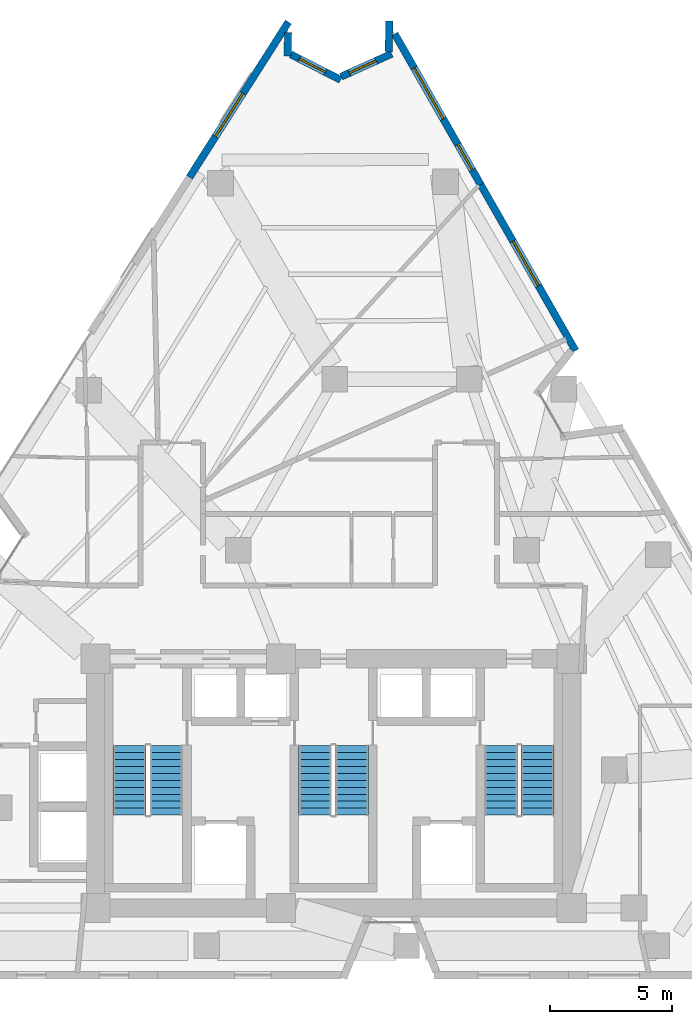
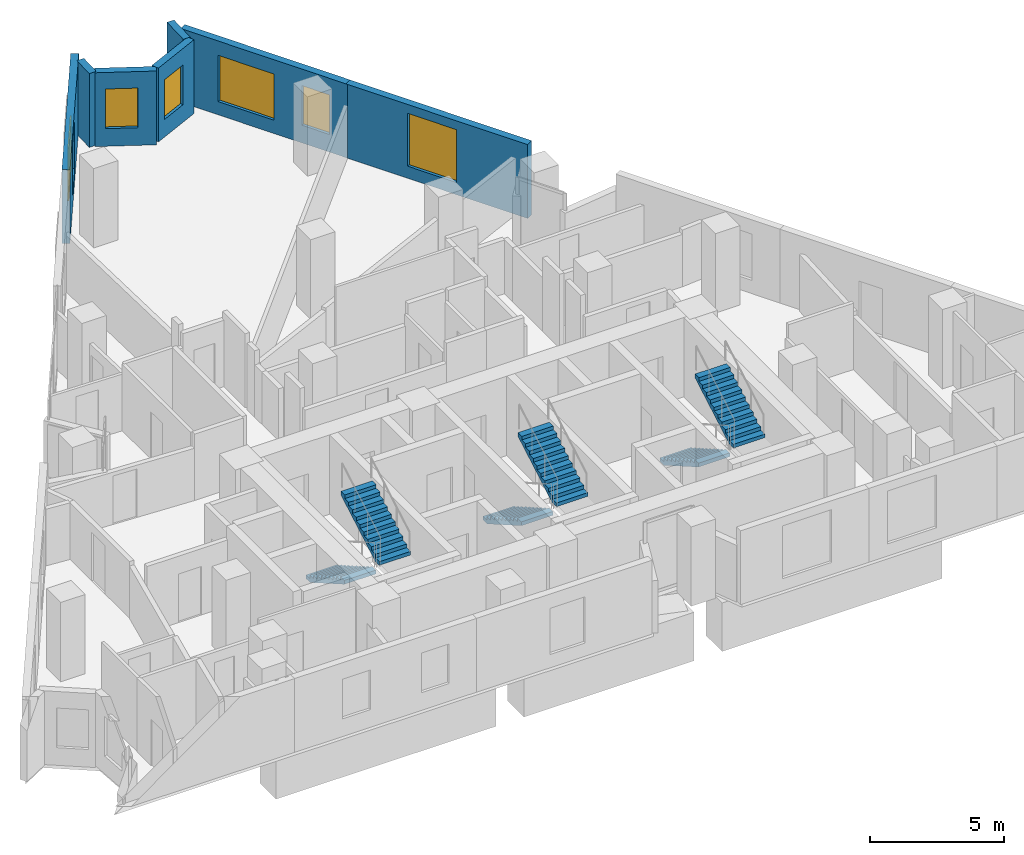
# One storey, part 10 of 12: 7 walls, 6 stair flights, 6 windows, 6 openings, 3 elements without a shape of their own.
"""IFC4 building model written with IfcOpenShell, lengths in metres."""

from ifc_helpers import new_model, si_unit, direction, frame, frame_2d, origin, place, context, subcontext, project, spatial, polyline, rectangle, outline, extrude, material, layer, layer_set, type_object, element, fill, aggregate, save


model = new_model("IFC4")

# Units and contexts
model_context = context("Model", 3, precision=1e-05, world=origin(), true_north=direction((0.0, 1.0)))
body_context = subcontext(model_context, "Body", "Model", "MODEL_VIEW")
ifc_project = project(units=[si_unit("LENGTHUNIT", "METRE"), si_unit("AREAUNIT", "SQUARE_METRE"), si_unit("VOLUMEUNIT", "CUBIC_METRE"), si_unit("PLANEANGLEUNIT", "RADIAN"), si_unit("MASSUNIT", "GRAM", prefix="KILO")], contexts=[model_context])

# Site, building, storey
site_placement = place(None, origin())
site = spatial("IfcSite", under=ifc_project, at=site_placement, CompositionType="ELEMENT")
building_placement = place(site_placement, origin())
building = spatial("IfcBuilding", under=site, at=building_placement, Name="Almagre Mirador Tower", CompositionType="ELEMENT")
storey_placement = place(building_placement, frame((0.0, 0.0, 132.0)))
storey = spatial("IfcBuildingStorey", under=building, at=storey_placement, Name="L33", CompositionType="ELEMENT", Elevation=132.0)

# Wall, opening, window
ifc_material_1 = material(Name="Precast concrete C50/60", Category="concrete")
ifc_layer = layer(ifc_material_1, 0.300048828125)
ifc_layer_set = layer_set([ifc_layer], Name="Precast concrete C50/60")
wall_type = type_object("IfcWallType", Name="WAL-EXT-300", PredefinedType="SOLIDWALL", material=ifc_layer_set)
wall_1_placement = place(storey_placement, frame((31.402099609375, 34.46728515625, 0.0), z_axis=(0.0, 0.0, 1.0), x_axis=(0.537103895222, 0.843516096905, 0.0)))
wall_1 = element("IfcWall", 1, at=wall_1_placement, inside=storey, type_object=wall_type, Name="L33 expressed almagre precast frame wall 04", PredefinedType="SOLIDWALL", context=body_context, shape_type="SweptSolid", body=[
    extrude(rectangle(XDim=7.538330078125, YDim=0.300048828125, at=frame_2d((3.76904296875, 0.0))), origin(), (0.0, 0.0, 1.0), 3.35009765625),
])
opening_1_placement = place(wall_1_placement, frame((1.97509765625, 0.0, 0.550048828125)))
opening_1 = element("IfcOpeningElement", 2, at=opening_1_placement, cuts=wall_1, Name="Opening WN-05", PredefinedType="OPENING", context=body_context, shape_type="SweptSolid", body=[
    extrude(rectangle(XDim=2.10009765625, YDim=2.39990234375, at=frame_2d((1.050048828125, 1.199951171875))), frame((0.0, 0.159902, 0.0), z_axis=(0.0, -1.0, 0.0), x_axis=(1.0, 0.0, 0.0)), (0.0, 0.0, 1.0), 0.320049),
])
ifc_material_2 = material(Name="Dark solar-control laminated hurricane glass", Category="glass")
window_type_1 = type_object("IfcWindowType", Name="WIN-2100X2400", PartitioningType="DOUBLE_PANEL_VERTICAL", PredefinedType="WINDOW", material=ifc_material_2)
window_1_placement = place(opening_1_placement, origin())
window_1 = element("IfcWindow", 3, at=window_1_placement, inside=storey, type_object=window_type_1, Name="L33 recessed hurricane window L33-UL-ST", OverallHeight=2.39990234375, OverallWidth=2.10009765625, PartitioningType="SINGLE_PANEL", PredefinedType="WINDOW", context=body_context, shape_type="SweptSolid", body=[
    extrude(rectangle(XDim=2.10009765625, YDim=2.39990234375, at=frame_2d((1.050048828125, 1.199951171875))), frame((0.0, 0.030029296875, 0.0), z_axis=(0.0, -1.0, 0.0), x_axis=(1.0, 0.0, 0.0)), (0.0, 0.0, 1.0), 0.06005859375),
])
fill(opening_1, window_1)

# Wall
wall_2_placement = place(storey_placement, frame((35.440673828125, 40.39111328125, 0.0), z_axis=(0.0, 0.0, 1.0), x_axis=(-0.023772687739, -0.999717389725, 0.0)))
element("IfcWall", 4, at=wall_2_placement, inside=storey, type_object=wall_type, Name="L33 expressed almagre precast frame wall 05", PredefinedType="SOLIDWALL", context=body_context, shape_type="SweptSolid", body=[
    extrude(rectangle(XDim=0.96533203125, YDim=0.300048828125, at=frame_2d((0.482666015625, 0.0))), origin(), (0.0, 0.0, 1.0), 3.35009765625),
])

# Wall, opening, window
wall_3_placement = place(storey_placement, frame((35.550048828125, 39.5, 0.0), z_axis=(0.0, 0.0, 1.0), x_axis=(0.890379913817, -0.455218199408, 0.0)))
wall_3 = element("IfcWall", 5, at=wall_3_placement, inside=storey, type_object=wall_type, Name="L33 expressed almagre precast frame wall 06", PredefinedType="SOLIDWALL", context=body_context, shape_type="SweptSolid", body=[
    extrude(rectangle(XDim=2.28857421875, YDim=0.300048828125, at=frame_2d((1.144287109375, 0.0))), origin(), (0.0, 0.0, 1.0), 3.35009765625),
])
opening_2_placement = place(wall_3_placement, frame((0.389892578125, 0.0, 0.800048828125)))
opening_2 = element("IfcOpeningElement", 6, at=opening_2_placement, cuts=wall_3, Name="Opening WN-04", PredefinedType="OPENING", context=body_context, shape_type="SweptSolid", body=[
    extrude(rectangle(XDim=1.199951171875, YDim=1.800048828125, at=frame_2d((0.60009765625, 0.89990234375))), frame((0.0, 0.159902, 0.0), z_axis=(0.0, -1.0, 0.0), x_axis=(1.0, 0.0, 0.0)), (0.0, 0.0, 1.0), 0.320049),
])
ifc_material_3 = material(Name="Dark solar-control laminated hurricane glass", Category="glass")
window_type_2 = type_object("IfcWindowType", Name="WIN-1200X1800", PartitioningType="SINGLE_PANEL", PredefinedType="WINDOW", material=ifc_material_3)
window_2_placement = place(opening_2_placement, origin())
window_2 = element("IfcWindow", 7, at=window_2_placement, inside=storey, type_object=window_type_2, Name="L33 recessed hurricane window L33-UL-KT", OverallHeight=1.800048828125, OverallWidth=1.199951171875, PartitioningType="SINGLE_PANEL", PredefinedType="WINDOW", context=body_context, shape_type="SweptSolid", body=[
    extrude(rectangle(XDim=1.199951171875, YDim=1.800048828125, at=frame_2d((0.60009765625, 0.89990234375))), frame((0.0, 0.030029296875, 0.0), z_axis=(0.0, -1.0, 0.0), x_axis=(1.0, 0.0, 0.0)), (0.0, 0.0, 1.0), 0.06005859375),
])
fill(opening_2, window_2)

wall_4_placement = place(storey_placement, frame((37.60888671875, 38.587890625, 0.0), z_axis=(0.0, 0.0, 1.0), x_axis=(0.911273073729, 0.411802604528, 0.0)))
wall_4 = element("IfcWall", 8, at=wall_4_placement, inside=storey, type_object=wall_type, Name="L33 expressed almagre precast frame wall 07", PredefinedType="SOLIDWALL", context=body_context, shape_type="SweptSolid", body=[
    extrude(rectangle(XDim=2.2724609375, YDim=0.300048828125, at=frame_2d((1.13623046875, 0.0))), origin(), (0.0, 0.0, 1.0), 3.35009765625),
])
opening_3_placement = place(wall_4_placement, frame((0.375, 0.0, 0.800048828125)))
opening_3 = element("IfcOpeningElement", 9, at=opening_3_placement, cuts=wall_4, Name="Opening WN-04", PredefinedType="OPENING", context=body_context, shape_type="SweptSolid", body=[
    extrude(rectangle(XDim=1.199951171875, YDim=1.800048828125, at=frame_2d((0.60009765625, 0.89990234375))), frame((0.0, 0.159902, 0.0), z_axis=(0.0, -1.0, 0.0), x_axis=(1.0, 0.0, 0.0)), (0.0, 0.0, 1.0), 0.320049),
])
window_3_placement = place(opening_3_placement, origin())
window_3 = element("IfcWindow", 10, at=window_3_placement, inside=storey, type_object=window_type_2, Name="L33 recessed hurricane window L33-UL-KT", OverallHeight=1.800048828125, OverallWidth=1.199951171875, PartitioningType="SINGLE_PANEL", PredefinedType="WINDOW", context=body_context, shape_type="SweptSolid", body=[
    extrude(rectangle(XDim=1.199951171875, YDim=1.800048828125, at=frame_2d((0.60009765625, 0.89990234375))), frame((0.0, 0.030029296875, 0.0), z_axis=(0.0, -1.0, 0.0), x_axis=(1.0, 0.0, 0.0)), (0.0, 0.0, 1.0), 0.06005859375),
])
fill(opening_3, window_3)

# Wall
wall_5_placement = place(storey_placement, frame((39.555419921875, 39.60595703125, 0.0), z_axis=(0.0, 0.0, 1.0), x_axis=(0.024600187161, 0.999697369603, 0.0)))
element("IfcWall", 11, at=wall_5_placement, inside=storey, type_object=wall_type, Name="L33 expressed almagre precast frame wall 08", PredefinedType="SOLIDWALL", context=body_context, shape_type="SweptSolid", body=[
    extrude(rectangle(XDim=1.260498046875, YDim=0.300048828125, at=frame_2d((0.63037109375, 0.0))), origin(), (0.0, 0.0, 1.0), 3.35009765625),
])

# Wall, openings, windows
wall_6_placement = place(storey_placement, frame((39.8037109375, 40.339599609375, 0.0), z_axis=(0.0, 0.0, 1.0), x_axis=(0.495644320378, -0.86852559414, 0.0)))
wall_6 = element("IfcWall", 12, at=wall_6_placement, inside=storey, type_object=wall_type, Name="L33 expressed almagre precast frame wall 09", PredefinedType="SOLIDWALL", context=body_context, shape_type="SweptSolid", body=[
    extrude(rectangle(XDim=7.17724609375, YDim=0.300048828125, at=frame_2d((3.588623046875, 0.0))), origin(), (0.0, 0.0, 1.0), 3.35009765625),
])
opening_4_placement = place(wall_6_placement, frame((5.215087890625, 0.0, 0.800048828125)))
opening_4 = element("IfcOpeningElement", 13, at=opening_4_placement, cuts=wall_6, Name="Opening WN-04", PredefinedType="OPENING", context=body_context, shape_type="SweptSolid", body=[
    extrude(rectangle(XDim=1.199951171875, YDim=1.800048828125, at=frame_2d((0.60009765625, 0.89990234375))), frame((0.0, 0.159902, 0.0), z_axis=(0.0, -1.0, 0.0), x_axis=(1.0, 0.0, 0.0)), (0.0, 0.0, 1.0), 0.320049),
])
opening_5_placement = place(wall_6_placement, frame((1.614990234375, 0.0, 0.60009765625)))
opening_5 = element("IfcOpeningElement", 14, at=opening_5_placement, cuts=wall_6, Name="Opening WN-02", PredefinedType="OPENING", context=body_context, shape_type="SweptSolid", body=[
    extrude(rectangle(XDim=2.39990234375, YDim=2.10009765625, at=frame_2d((1.199951171875, 1.050048828125))), frame((0.0, 0.159902, 0.0), z_axis=(0.0, -1.0, 0.0), x_axis=(1.0, 0.0, 0.0)), (0.0, 0.0, 1.0), 0.320049),
])
window_4_placement = place(opening_4_placement, origin())
window_4 = element("IfcWindow", 15, at=window_4_placement, inside=storey, type_object=window_type_2, Name="L33 recessed hurricane window L33-RST-J", OverallHeight=1.800048828125, OverallWidth=1.199951171875, PartitioningType="SINGLE_PANEL", PredefinedType="WINDOW", context=body_context, shape_type="SweptSolid", body=[
    extrude(rectangle(XDim=1.199951171875, YDim=1.800048828125, at=frame_2d((0.60009765625, 0.89990234375))), frame((0.0, 0.030029296875, 0.0), z_axis=(0.0, -1.0, 0.0), x_axis=(1.0, 0.0, 0.0)), (0.0, 0.0, 1.0), 0.06005859375),
])
fill(opening_4, window_4)
ifc_material_4 = material(Name="Dark solar-control laminated hurricane glass", Category="glass")
window_type_3 = type_object("IfcWindowType", Name="WIN-2400X2100", PartitioningType="TRIPLE_PANEL_VERTICAL", PredefinedType="WINDOW", material=ifc_material_4)
window_5_placement = place(opening_5_placement, origin())
window_5 = element("IfcWindow", 16, at=window_5_placement, inside=storey, type_object=window_type_3, Name="L33 recessed hurricane window L33-UL-KT", OverallHeight=2.10009765625, OverallWidth=2.39990234375, PartitioningType="SINGLE_PANEL", PredefinedType="WINDOW", context=body_context, shape_type="SweptSolid", body=[
    extrude(rectangle(XDim=2.39990234375, YDim=2.10009765625, at=frame_2d((1.199951171875, 1.050048828125))), frame((0.0, 0.030029296875, 0.0), z_axis=(0.0, -1.0, 0.0), x_axis=(1.0, 0.0, 0.0)), (0.0, 0.0, 1.0), 0.06005859375),
])
fill(opening_5, window_5)

# Wall, opening, window
wall_7_placement = place(storey_placement, frame((43.327392578125, 34.1650390625, 0.0), z_axis=(0.0, 0.0, 1.0), x_axis=(0.495665411197, -0.868513557835, 0.0)))
wall_7 = element("IfcWall", 17, at=wall_7_placement, inside=storey, type_object=wall_type, Name="L33 expressed almagre precast frame wall 10", PredefinedType="SOLIDWALL", context=body_context, shape_type="SweptSolid", body=[
    extrude(rectangle(XDim=7.830078125, YDim=0.300048828125, at=frame_2d((3.9150390625, 0.0))), origin(), (0.0, 0.0, 1.0), 3.35009765625),
])
opening_6_placement = place(wall_7_placement, frame((2.66796875, 0.0, 0.550048828125)))
opening_6 = element("IfcOpeningElement", 18, at=opening_6_placement, cuts=wall_7, Name="Opening WN-05", PredefinedType="OPENING", context=body_context, shape_type="SweptSolid", body=[
    extrude(rectangle(XDim=2.10009765625, YDim=2.39990234375, at=frame_2d((1.050048828125, 1.199951171875))), frame((0.0, 0.159902, 0.0), z_axis=(0.0, -1.0, 0.0), x_axis=(1.0, 0.0, 0.0)), (0.0, 0.0, 1.0), 0.320049),
])
window_6_placement = place(opening_6_placement, origin())
window_6 = element("IfcWindow", 19, at=window_6_placement, inside=storey, type_object=window_type_1, Name="L33 recessed hurricane window L33-RST-K", OverallHeight=2.39990234375, OverallWidth=2.10009765625, PartitioningType="SINGLE_PANEL", PredefinedType="WINDOW", context=body_context, shape_type="SweptSolid", body=[
    extrude(rectangle(XDim=2.10009765625, YDim=2.39990234375, at=frame_2d((1.050048828125, 1.199951171875))), frame((0.0, 0.030029296875, 0.0), z_axis=(0.0, -1.0, 0.0), x_axis=(1.0, 0.0, 0.0)), (0.0, 0.0, 1.0), 0.06005859375),
])
fill(opening_6, window_6)

# Stair, stair flights
ifc_material_5 = material(Name="Concrete C45/55", Category="concrete")
stair_type = type_object("IfcStairType", Name="STR-DL-3600", PredefinedType="HALF_TURN_STAIR", material=ifc_material_5)
stair_1_placement = place(storey_placement, origin())
stair_1 = element("IfcStair", 20, at=stair_1_placement, inside=storey, type_object=stair_type, Name="L33 Protected exit stair ST-1", PredefinedType="HALF_TURN_STAIR")
ifc_material_6 = material(Name="Concrete C45/55", Category="concrete")
stair_flight_type = type_object("IfcStairFlightType", Name="FLT-DL-3600", PredefinedType="STRAIGHT", material=ifc_material_6)
stair_flight_1_placement = place(storey_placement, frame((28.949951171875, 11.199951171875, 0.0), z_axis=(0.0, 0.0, 1.0), x_axis=(0.0, -1.0, 0.0)))
stair_flight_1 = element("IfcStairFlight", 21, at=stair_flight_1_placement, type_object=stair_flight_type, Name="ST-1 flight 1", NumberOfRisers=11, NumberOfTreads=10, PredefinedType="STRAIGHT", RiserHeight=0.163636364, TreadLength=0.285, context=body_context, shape_type="SweptSolid", body=[
    extrude(outline(polyline([(0.0, 0.0), (0.0, 0.16357421875), (0.284912109375, 0.16357421875), (0.284912109375, 0.327392578125), (0.570068359375, 0.327392578125), (0.570068359375, 0.490966796875), (0.85498046875, 0.490966796875), (0.85498046875, 0.654541015625), (1.139892578125, 0.654541015625), (1.139892578125, 0.818115234375), (1.425048828125, 0.818115234375), (1.425048828125, 0.98193359375), (1.7099609375, 0.98193359375), (1.7099609375, 1.1455078125), (1.9951171875, 1.1455078125), (1.9951171875, 1.30908203125), (2.280029296875, 1.30908203125), (2.280029296875, 1.47265625), (2.56494140625, 1.47265625), (2.56494140625, 1.636474609375), (2.85009765625, 1.636474609375), (2.85009765625, 1.800048828125), (2.85009765625, 1.463623046875), (0.301025390625, 0.0), (0.0, 0.0)])), frame((0.0, 0.675048828125, 0.0), z_axis=(0.0, -1.0, 0.0), x_axis=(1.0, 0.0, 0.0)), (0.0, 0.0, 1.0), 1.35009765625),
])
stair_flight_2_placement = place(storey_placement, frame((30.449951171875, 8.35009765625, 1.800048828125), z_axis=(0.0, 0.0, 1.0), x_axis=(0.0, 1.0, 0.0)))
stair_flight_2 = element("IfcStairFlight", 22, at=stair_flight_2_placement, type_object=stair_flight_type, Name="ST-1 flight 2", NumberOfRisers=11, NumberOfTreads=10, PredefinedType="STRAIGHT", RiserHeight=0.163636364, TreadLength=0.285, context=body_context, shape_type="SweptSolid", body=[
    extrude(outline(polyline([(0.0, 0.0), (0.0, 0.16357421875), (0.284912109375, 0.16357421875), (0.284912109375, 0.327392578125), (0.570068359375, 0.327392578125), (0.570068359375, 0.490966796875), (0.85498046875, 0.490966796875), (0.85498046875, 0.654541015625), (1.139892578125, 0.654541015625), (1.139892578125, 0.818115234375), (1.425048828125, 0.818115234375), (1.425048828125, 0.98193359375), (1.7099609375, 0.98193359375), (1.7099609375, 1.1455078125), (1.9951171875, 1.1455078125), (1.9951171875, 1.30908203125), (2.280029296875, 1.30908203125), (2.280029296875, 1.47265625), (2.56494140625, 1.47265625), (2.56494140625, 1.636474609375), (2.85009765625, 1.636474609375), (2.85009765625, 1.800048828125), (2.85009765625, 1.463623046875), (0.301025390625, 0.0), (0.0, 0.0)])), frame((0.0, 0.675048828125, 0.0), z_axis=(0.0, -1.0, 0.0), x_axis=(1.0, 0.0, 0.0)), (0.0, 0.0, 1.0), 1.35009765625),
])
aggregate(stair_1, [stair_flight_1, stair_flight_2])

stair_2_placement = place(storey_placement, origin())
stair_2 = element("IfcStair", 23, at=stair_2_placement, inside=storey, type_object=stair_type, Name="L33 Protected exit stair ST-2", PredefinedType="HALF_TURN_STAIR")
stair_flight_3_placement = place(storey_placement, frame((36.550048828125, 11.199951171875, 0.0), z_axis=(0.0, 0.0, 1.0), x_axis=(0.0, -1.0, 0.0)))
stair_flight_3 = element("IfcStairFlight", 24, at=stair_flight_3_placement, type_object=stair_flight_type, Name="ST-2 flight 1", NumberOfRisers=11, NumberOfTreads=10, PredefinedType="STRAIGHT", RiserHeight=0.163636364, TreadLength=0.285, context=body_context, shape_type="SweptSolid", body=[
    extrude(outline(polyline([(0.0, 0.0), (0.0, 0.16357421875), (0.284912109375, 0.16357421875), (0.284912109375, 0.327392578125), (0.570068359375, 0.327392578125), (0.570068359375, 0.490966796875), (0.85498046875, 0.490966796875), (0.85498046875, 0.654541015625), (1.139892578125, 0.654541015625), (1.139892578125, 0.818115234375), (1.425048828125, 0.818115234375), (1.425048828125, 0.98193359375), (1.7099609375, 0.98193359375), (1.7099609375, 1.1455078125), (1.9951171875, 1.1455078125), (1.9951171875, 1.30908203125), (2.280029296875, 1.30908203125), (2.280029296875, 1.47265625), (2.56494140625, 1.47265625), (2.56494140625, 1.636474609375), (2.85009765625, 1.636474609375), (2.85009765625, 1.800048828125), (2.85009765625, 1.463623046875), (0.301025390625, 0.0), (0.0, 0.0)])), frame((0.0, 0.675048828125, 0.0), z_axis=(0.0, -1.0, 0.0), x_axis=(1.0, 0.0, 0.0)), (0.0, 0.0, 1.0), 1.35009765625),
])
stair_flight_4_placement = place(storey_placement, frame((38.050048828125, 8.35009765625, 1.800048828125), z_axis=(0.0, 0.0, 1.0), x_axis=(0.0, 1.0, 0.0)))
stair_flight_4 = element("IfcStairFlight", 25, at=stair_flight_4_placement, type_object=stair_flight_type, Name="ST-2 flight 2", NumberOfRisers=11, NumberOfTreads=10, PredefinedType="STRAIGHT", RiserHeight=0.163636364, TreadLength=0.285, context=body_context, shape_type="SweptSolid", body=[
    extrude(outline(polyline([(0.0, 0.0), (0.0, 0.16357421875), (0.284912109375, 0.16357421875), (0.284912109375, 0.327392578125), (0.570068359375, 0.327392578125), (0.570068359375, 0.490966796875), (0.85498046875, 0.490966796875), (0.85498046875, 0.654541015625), (1.139892578125, 0.654541015625), (1.139892578125, 0.818115234375), (1.425048828125, 0.818115234375), (1.425048828125, 0.98193359375), (1.7099609375, 0.98193359375), (1.7099609375, 1.1455078125), (1.9951171875, 1.1455078125), (1.9951171875, 1.30908203125), (2.280029296875, 1.30908203125), (2.280029296875, 1.47265625), (2.56494140625, 1.47265625), (2.56494140625, 1.636474609375), (2.85009765625, 1.636474609375), (2.85009765625, 1.800048828125), (2.85009765625, 1.463623046875), (0.301025390625, 0.0), (0.0, 0.0)])), frame((0.0, 0.675048828125, 0.0), z_axis=(0.0, -1.0, 0.0), x_axis=(1.0, 0.0, 0.0)), (0.0, 0.0, 1.0), 1.35009765625),
])
aggregate(stair_2, [stair_flight_3, stair_flight_4])

stair_3_placement = place(storey_placement, origin())
stair_3 = element("IfcStair", 26, at=stair_3_placement, inside=storey, type_object=stair_type, Name="L33 Protected exit stair ST-3", PredefinedType="HALF_TURN_STAIR")
stair_flight_5_placement = place(storey_placement, frame((44.14990234375, 11.199951171875, 0.0), z_axis=(0.0, 0.0, 1.0), x_axis=(0.0, -1.0, 0.0)))
stair_flight_5 = element("IfcStairFlight", 27, at=stair_flight_5_placement, type_object=stair_flight_type, Name="ST-3 flight 1", NumberOfRisers=11, NumberOfTreads=10, PredefinedType="STRAIGHT", RiserHeight=0.163636364, TreadLength=0.285, context=body_context, shape_type="SweptSolid", body=[
    extrude(outline(polyline([(0.0, 0.0), (0.0, 0.16357421875), (0.284912109375, 0.16357421875), (0.284912109375, 0.327392578125), (0.570068359375, 0.327392578125), (0.570068359375, 0.490966796875), (0.85498046875, 0.490966796875), (0.85498046875, 0.654541015625), (1.139892578125, 0.654541015625), (1.139892578125, 0.818115234375), (1.425048828125, 0.818115234375), (1.425048828125, 0.98193359375), (1.7099609375, 0.98193359375), (1.7099609375, 1.1455078125), (1.9951171875, 1.1455078125), (1.9951171875, 1.30908203125), (2.280029296875, 1.30908203125), (2.280029296875, 1.47265625), (2.56494140625, 1.47265625), (2.56494140625, 1.636474609375), (2.85009765625, 1.636474609375), (2.85009765625, 1.800048828125), (2.85009765625, 1.463623046875), (0.301025390625, 0.0), (0.0, 0.0)])), frame((0.0, 0.675048828125, 0.0), z_axis=(0.0, -1.0, 0.0), x_axis=(1.0, 0.0, 0.0)), (0.0, 0.0, 1.0), 1.35009765625),
])
stair_flight_6_placement = place(storey_placement, frame((45.64990234375, 8.35009765625, 1.800048828125), z_axis=(0.0, 0.0, 1.0), x_axis=(0.0, 1.0, 0.0)))
stair_flight_6 = element("IfcStairFlight", 28, at=stair_flight_6_placement, type_object=stair_flight_type, Name="ST-3 flight 2", NumberOfRisers=11, NumberOfTreads=10, PredefinedType="STRAIGHT", RiserHeight=0.163636364, TreadLength=0.285, context=body_context, shape_type="SweptSolid", body=[
    extrude(outline(polyline([(0.0, 0.0), (0.0, 0.16357421875), (0.284912109375, 0.16357421875), (0.284912109375, 0.327392578125), (0.570068359375, 0.327392578125), (0.570068359375, 0.490966796875), (0.85498046875, 0.490966796875), (0.85498046875, 0.654541015625), (1.139892578125, 0.654541015625), (1.139892578125, 0.818115234375), (1.425048828125, 0.818115234375), (1.425048828125, 0.98193359375), (1.7099609375, 0.98193359375), (1.7099609375, 1.1455078125), (1.9951171875, 1.1455078125), (1.9951171875, 1.30908203125), (2.280029296875, 1.30908203125), (2.280029296875, 1.47265625), (2.56494140625, 1.47265625), (2.56494140625, 1.636474609375), (2.85009765625, 1.636474609375), (2.85009765625, 1.800048828125), (2.85009765625, 1.463623046875), (0.301025390625, 0.0), (0.0, 0.0)])), frame((0.0, 0.675048828125, 0.0), z_axis=(0.0, -1.0, 0.0), x_axis=(1.0, 0.0, 0.0)), (0.0, 0.0, 1.0), 1.35009765625),
])
aggregate(stair_3, [stair_flight_5, stair_flight_6])

save(model, "model.ifc")
